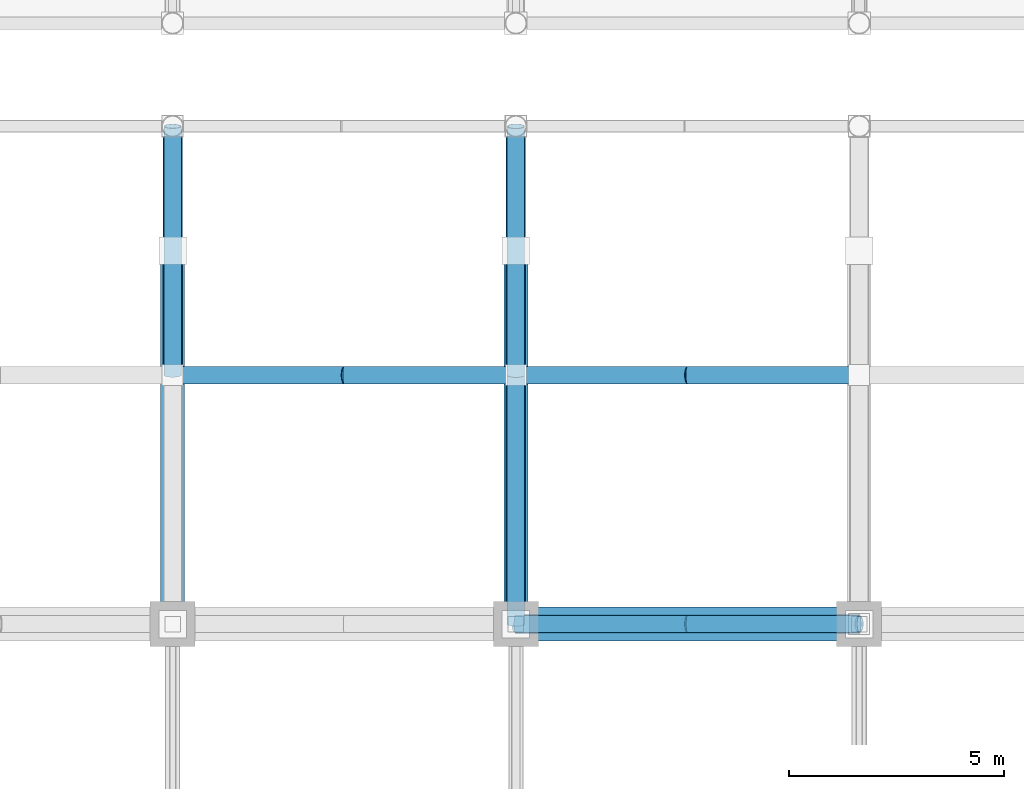
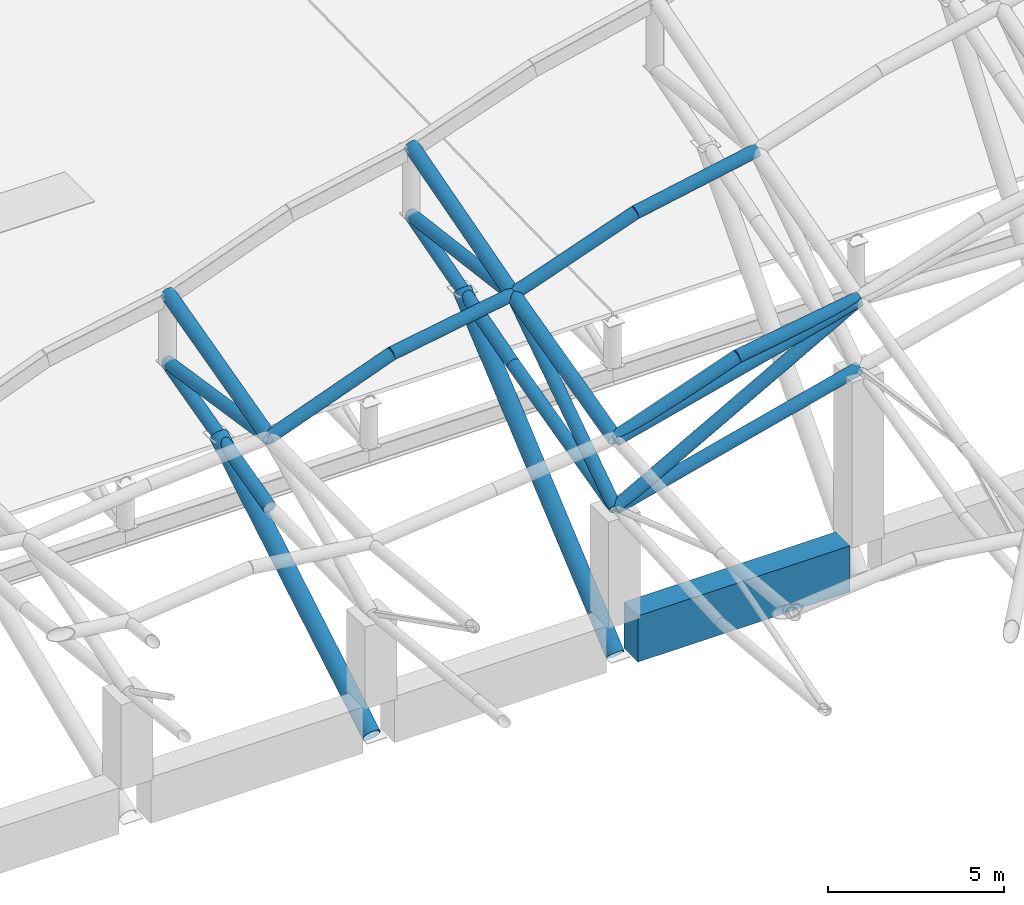
# One storey, part 17 of 75: 20 members, 1 beam.
"""IFC4 building model written with IfcOpenShell, lengths in metres."""

import ifcopenshell
import ifcopenshell.guid

model = None  # the IFC model being written
_history = None  # IfcOwnerHistory: only IFC2X3 demands one
_inside = {}  # id of a spatial element -> (the spatial element, [elements in it])
_under = {}  # id of a project, library or spatial element -> (it, [spatial elements below it])
_declared = {}  # id of a project -> (the project, [libraries it declares])
_typed = {}  # id of a type object -> (the type object, [elements of that type])
_made_of = {}  # id of a material, layer set ... -> (it, [elements and type objects made of it])


def new_model(schema):
    """Start an empty IFC model of exactly this schema.

    Asked for "IFC4X3", IfcOpenShell would pick the latest addendum, in which some entities
    have other attributes; the version numbers below select the first issue.
    IFC2X3 requires an IfcOwnerHistory on every rooted entity: one is made here for all.
    """
    global model, _history
    if schema == "IFC4X3":
        model = ifcopenshell.file(schema_version=(4, 3, 0, 0))
    else:
        model = ifcopenshell.file(schema=schema)
    _inside.clear()
    _under.clear()
    _declared.clear()
    _typed.clear()
    _made_of.clear()
    _history = None
    if model.schema == "IFC2X3":
        org = make("IfcOrganization", Name="unknown")
        user = make(
            "IfcPersonAndOrganization",
            ThePerson=make("IfcPerson", FamilyName="unknown"),
            TheOrganization=org,
        )
        app = make(
            "IfcApplication",
            ApplicationDeveloper=org,
            Version="unknown",
            ApplicationFullName="unknown",
            ApplicationIdentifier="unknown",
        )
        _history = make(
            "IfcOwnerHistory",
            OwningUser=user,
            OwningApplication=app,
            ChangeAction="ADDED",
            CreationDate=0,
        )
    return model


def make(cls, **values):
    """One entity of the class cls with the attributes given. An attribute that is None is left unset."""
    return model.create_entity(
        cls, **{name: value for name, value in values.items() if value is not None}
    )


def rooted(cls, **values):
    """An entity with a GlobalId (a new one), such as an element, a storey or a relation."""
    return make(cls, GlobalId=ifcopenshell.guid.new(), OwnerHistory=_history, **values)


def si_unit(unit_type, name, prefix=None):
    """IfcSIUnit, for example si_unit("LENGTHUNIT", "METRE", prefix="MILLI")."""
    return make("IfcSIUnit", UnitType=unit_type, Prefix=prefix, Name=name)


def assignment(units):
    """IfcUnitAssignment: the units of a project."""
    return None if units is None else make("IfcUnitAssignment", Units=units)


def point(xyz):
    """IfcCartesianPoint."""
    return None if xyz is None else make("IfcCartesianPoint", Coordinates=xyz)


def direction(xyz):
    """IfcDirection."""
    return None if xyz is None else make("IfcDirection", DirectionRatios=xyz)


def frame(location, z_axis=None, x_axis=None):
    """IfcAxis2Placement3D, a coordinate frame: its origin and axes. An axis left out is left unset."""
    return make(
        "IfcAxis2Placement3D",
        Location=point(location),
        Axis=direction(z_axis),
        RefDirection=direction(x_axis),
    )


def frame_2d(location, x_axis=None):
    """IfcAxis2Placement2D, a coordinate frame in the plane: its origin and x axis."""
    return make(
        "IfcAxis2Placement2D", Location=point(location), RefDirection=direction(x_axis)
    )


def origin():
    """The frame at (0, 0, 0) with its axes left unset."""
    return frame((0.0, 0.0, 0.0))


def origin_2d():
    """The frame at (0, 0) in the plane with its x axis left unset."""
    return frame_2d((0.0, 0.0))


def place(relative_to, where):
    """IfcLocalPlacement: puts the frame where relative to a parent placement (None: the world)."""
    return make(
        "IfcLocalPlacement", PlacementRelTo=relative_to, RelativePlacement=where
    )


def context(
    kind, dimensions, precision=None, world=None, true_north=None, identifier=None
):
    """IfcGeometricRepresentationContext, for example the 3D "Model" context."""
    return make(
        "IfcGeometricRepresentationContext",
        ContextIdentifier=identifier,
        ContextType=kind,
        CoordinateSpaceDimension=dimensions,
        Precision=precision,
        WorldCoordinateSystem=world,
        TrueNorth=true_north,
    )


def subcontext(parent, identifier, kind, view, scale=None):
    """IfcGeometricRepresentationSubContext, for example "Body" below "Model"."""
    return make(
        "IfcGeometricRepresentationSubContext",
        ContextIdentifier=identifier,
        ContextType=kind,
        ParentContext=parent,
        TargetScale=scale,
        TargetView=view,
    )


def project(units=None, contexts=None):
    """IfcProject with its units and contexts."""
    return rooted(
        "IfcProject",
        Name="project",
        RepresentationContexts=contexts,
        UnitsInContext=assignment(units),
    )


def spatial(cls, under=None, at=None, **own):
    """A site, building, storey or space (cls), placed at a placement, below another one or the project."""
    s = rooted(cls, ObjectPlacement=at, **own)
    if under is not None:
        _under.setdefault(under.id(), (under, []))[1].append(s)
    return s


def profile(cls, at=None, kind="AREA", **sizes):
    """A parametric profile (cls). Its sizes go by their IFC names, for example OverallWidth=200.0."""
    return make(cls, ProfileType=kind, Position=at, **sizes)


def rectangle(**sizes):
    """IfcRectangleProfileDef."""
    return profile("IfcRectangleProfileDef", **sizes)


def hollow_circle(**sizes):
    """IfcCircleHollowProfileDef."""
    return profile("IfcCircleHollowProfileDef", **sizes)


def extrude(swept, where, along, depth):
    """IfcExtrudedAreaSolid: the profile swept, set in the frame where, extruded along a direction by depth."""
    return make(
        "IfcExtrudedAreaSolid",
        SweptArea=swept,
        Position=where,
        ExtrudedDirection=direction(along),
        Depth=depth,
    )


def shape(context_of_items, identifier, shape_type, items):
    """IfcShapeRepresentation: the items that make up one representation, for example the "Body"."""
    return make(
        "IfcShapeRepresentation",
        ContextOfItems=context_of_items,
        RepresentationIdentifier=identifier,
        RepresentationType=shape_type,
        Items=items,
    )


def material(Name=None, Category=None):
    """IfcMaterial."""
    return make("IfcMaterial", Name=Name, Category=Category)


def material_profile(
    of_material, cross_section, Name=None, Category=None, Priority=None
):
    """IfcMaterialProfile: a cross section and its material."""
    return make(
        "IfcMaterialProfile",
        Name=Name,
        Material=of_material,
        Profile=cross_section,
        Priority=Priority,
        Category=Category,
    )


def profile_set(profiles, Name=None, composite=None):
    """IfcMaterialProfileSet."""
    return make(
        "IfcMaterialProfileSet",
        Name=Name,
        MaterialProfiles=profiles,
        CompositeProfile=composite,
    )


def made_of(thing, what):
    """Note that an element or type object is made of a material, layer set ...; save() writes the relation."""
    if what is not None:
        _made_of.setdefault(what.id(), (what, []))[1].append(thing)
    return thing


def type_object(cls, material=None, **own):
    """A type object (cls), such as IfcWallType, which elements share."""
    return made_of(rooted(cls, **own), material)


def element(
    cls,
    number,
    at=None,
    inside=None,
    cuts=None,
    type_object=None,
    material=None,
    context=None,
    identifier="Body",
    shape_type=None,
    held_by="IfcProductDefinitionShape",
    body=None,
    shapes=None,
    **own,
):
    """One element of the class cls, such as IfcWall. Its Tag is "e" and its number.

    at: its placement. inside: the storey or other place that contains it. cuts: it is an
    opening in that element (IfcRelVoidsElement). A single representation is given by context,
    identifier, shape_type and body (its items); several are given by shapes. held_by: the class
    of the entity that holds the representations. save() writes the other relations.
    """
    e = rooted(cls, Tag="e%d" % number, ObjectPlacement=at, **own)
    if body is not None:
        shapes = [shape(context, identifier, shape_type, body)]
    if shapes is not None:
        e.Representation = make(held_by, Representations=shapes)
    if inside is not None:
        _inside.setdefault(inside.id(), (inside, []))[1].append(e)
    if cuts is not None:
        rooted(
            "IfcRelVoidsElement", RelatingBuildingElement=cuts, RelatedOpeningElement=e
        )
    if type_object is not None:
        _typed.setdefault(type_object.id(), (type_object, []))[1].append(e)
    return made_of(e, material)


def aggregate(whole, parts):
    """IfcRelAggregates: a whole, such as a stair, and the parts it consists of."""
    return rooted("IfcRelAggregates", RelatingObject=whole, RelatedObjects=parts)


def save(model, path):
    """Write the relations noted so far, then the file.

    IfcRelAggregates (storeys below a building ...), IfcRelContainedInSpatialStructure (elements
    in a storey), IfcRelDefinesByType, IfcRelAssociatesMaterial and IfcRelDeclares: one each for
    every whole, place, type object, material and project.
    """
    for whole, parts in _under.values():
        aggregate(whole, parts)
    for where, things in _inside.values():
        rooted(
            "IfcRelContainedInSpatialStructure",
            RelatedElements=things,
            RelatingStructure=where,
        )
    for kind, things in _typed.values():
        rooted("IfcRelDefinesByType", RelatedObjects=things, RelatingType=kind)
    for what, things in _made_of.values():
        rooted("IfcRelAssociatesMaterial", RelatedObjects=things, RelatingMaterial=what)
    for by, libraries in _declared.values():
        rooted("IfcRelDeclares", RelatingContext=by, RelatedDefinitions=libraries)
    model.write(path)


model = new_model("IFC4")

# Units and contexts
model_context = context("Model", 3, precision=1e-05, world=origin(), true_north=direction((0.0, 1.0)))
body_context = subcontext(model_context, "Body", "Model", "MODEL_VIEW")
ifc_project = project(units=[si_unit("LENGTHUNIT", "METRE"), si_unit("AREAUNIT", "SQUARE_METRE"), si_unit("VOLUMEUNIT", "CUBIC_METRE"), si_unit("PLANEANGLEUNIT", "RADIAN"), si_unit("MASSUNIT", "GRAM", prefix="KILO")], contexts=[model_context])

# Site, building, storey
site_placement = place(None, origin())
site = spatial("IfcSite", under=ifc_project, at=site_placement, CompositionType="ELEMENT")
building_placement = place(site_placement, origin())
building = spatial("IfcBuilding", under=site, at=building_placement, Name="Khorjan Park Terminus", CompositionType="ELEMENT")
storey_placement = place(building_placement, frame((0.0, 0.0, 16.2)))
storey = spatial("IfcBuildingStorey", under=building, at=storey_placement, Name="L03", CompositionType="ELEMENT", Elevation=16.2)

# Members
ifc_material_1 = material(Name="Steel S355", Category="steel")
ifc_material_profile_1 = material_profile(ifc_material_1, hollow_circle(Radius=0.2032, WallThickness=0.016, at=origin_2d()), Name="CHS 406.4x16")
ifc_profile_set_1 = profile_set([ifc_material_profile_1], Name="Steel S355")
member_type_1 = type_object("IfcMemberType", Name="MB-CH-406", PredefinedType="CHORD", material=ifc_profile_set_1)
member_1_placement = place(storey_placement, frame((120.0, 88.0, 3.6958), z_axis=(0.968840831893, 0.0, 0.247684158673), x_axis=(0.0, 1.0, 0.0)))
element("IfcMember", 1, at=member_1_placement, inside=storey, type_object=member_type_1, Name="Upper shell longitudinal truss bottom chord (E4)", PredefinedType="CHORD", context=body_context, shape_type="SweptSolid", body=[
    extrude(hollow_circle(Radius=0.2032, WallThickness=0.016, at=origin_2d()), origin(), (0.0, 0.0, 1.0), 8.2573),
])
ifc_material_profile_2 = material_profile(ifc_material_1, hollow_circle(Radius=0.2285, WallThickness=0.016, at=origin_2d()), Name="CHS 457x16")
ifc_profile_set_2 = profile_set([ifc_material_profile_2], Name="Steel S355")
member_type_2 = type_object("IfcMemberType", Name="MB-CH-457", PredefinedType="CHORD", material=ifc_profile_set_2)
member_2_placement = place(storey_placement, frame((120.0, 88.0, 6.0958), z_axis=(0.968840831893, 0.0, 0.247684158673), x_axis=(0.0, 1.0, 0.0)))
element("IfcMember", 2, at=member_2_placement, inside=storey, type_object=member_type_2, Name="Upper shell longitudinal truss top chord (E4)", PredefinedType="CHORD", context=body_context, shape_type="SweptSolid", body=[
    extrude(hollow_circle(Radius=0.2285, WallThickness=0.016, at=origin_2d()), origin(), (0.0, 0.0, 1.0), 8.2573),
])
ifc_material_profile_3 = material_profile(ifc_material_1, hollow_circle(Radius=0.2032, WallThickness=0.016, at=origin_2d()), Name="CHS 406.4x16")
ifc_profile_set_3 = profile_set([ifc_material_profile_3], Name="Steel S355")
member_type_3 = type_object("IfcMemberType", Name="MB-CHE-406", PredefinedType="CHORD", material=ifc_profile_set_3)
member_3_placement = place(storey_placement, frame((120.0, 88.0, 6.1358), z_axis=(0.942639584618, 0.0, 0.333812242903), x_axis=(0.0, 1.0, 0.0)))
element("IfcMember", 3, at=member_3_placement, inside=storey, type_object=member_type_3, Name="Upper shell fold rib chord (237)", PredefinedType="CHORD", context=body_context, shape_type="SweptSolid", body=[
    extrude(hollow_circle(Radius=0.2032, WallThickness=0.016, at=origin_2d()), origin(), (0.0, 0.0, 1.0), 4.2434),
])
member_4_placement = place(storey_placement, frame((124.0, 88.0, 7.5523), z_axis=(0.987872255403, 0.0, 0.155268821743), x_axis=(0.0, 1.0, 0.0)))
element("IfcMember", 4, at=member_4_placement, inside=storey, type_object=member_type_3, Name="Upper shell fold rib chord (238)", PredefinedType="CHORD", context=body_context, shape_type="SweptSolid", body=[
    extrude(hollow_circle(Radius=0.2032, WallThickness=0.016, at=origin_2d()), origin(), (0.0, 0.0, 1.0), 4.0491),
])
member_5_placement = place(storey_placement, frame((112.0, 93.8, 5.4417), z_axis=(0.937112467786, 0.0, 0.349027538627), x_axis=(0.0, 1.0, 0.0)))
element("IfcMember", 5, at=member_5_placement, inside=storey, type_object=member_type_3, Name="Upper shell fold rib chord (259)", PredefinedType="CHORD", context=body_context, shape_type="SweptSolid", body=[
    extrude(hollow_circle(Radius=0.2032, WallThickness=0.016, at=origin_2d()), origin(), (0.0, 0.0, 1.0), 4.2684),
])
member_6_placement = place(storey_placement, frame((116.0, 93.8, 6.9315), z_axis=(0.985790621278, 0.0, 0.167978721866), x_axis=(0.0, 1.0, 0.0)))
element("IfcMember", 6, at=member_6_placement, inside=storey, type_object=member_type_3, Name="Upper shell fold rib chord (260)", PredefinedType="CHORD", context=body_context, shape_type="SweptSolid", body=[
    extrude(hollow_circle(Radius=0.2032, WallThickness=0.016, at=origin_2d()), origin(), (0.0, 0.0, 1.0), 4.0577),
])
member_7_placement = place(storey_placement, frame((120.0, 93.8, 7.6131), z_axis=(0.942795230781, 0.0, 0.333372393604), x_axis=(0.0, 1.0, 0.0)))
element("IfcMember", 7, at=member_7_placement, inside=storey, type_object=member_type_3, Name="Upper shell fold rib chord (261)", PredefinedType="CHORD", context=body_context, shape_type="SweptSolid", body=[
    extrude(hollow_circle(Radius=0.2032, WallThickness=0.016, at=origin_2d()), origin(), (0.0, 0.0, 1.0), 4.2427),
])
member_8_placement = place(storey_placement, frame((124.0, 93.8, 9.0275), z_axis=(0.981807019959, 0.0, 0.18988147766), x_axis=(0.0, 1.0, 0.0)))
element("IfcMember", 8, at=member_8_placement, inside=storey, type_object=member_type_3, Name="Upper shell fold rib chord (262)", PredefinedType="CHORD", context=body_context, shape_type="SweptSolid", body=[
    extrude(hollow_circle(Radius=0.2032, WallThickness=0.016, at=origin_2d()), origin(), (0.0, 0.0, 1.0), 4.0741),
])
member_9_placement = place(storey_placement, frame((112.0, 93.8, 3.0017), z_axis=(0.0, 0.967619044028, 0.252415105796), x_axis=(-1.0, 0.0, 0.0)))
element("IfcMember", 9, at=member_9_placement, inside=storey, type_object=member_type_3, Name="Upper shell fold space-truss bottom chord (9)", PredefinedType="CHORD", context=body_context, shape_type="SweptSolid", body=[
    extrude(hollow_circle(Radius=0.2032, WallThickness=0.016, at=origin_2d()), origin(), (0.0, 0.0, 1.0), 5.9941),
])
member_10_placement = place(storey_placement, frame((120.0, 88.0, 3.6958), z_axis=(0.0, 0.969059763172, 0.246826204851), x_axis=(-1.0, 0.0, 0.0)))
element("IfcMember", 10, at=member_10_placement, inside=storey, type_object=member_type_3, Name="Upper shell fold space-truss bottom chord (10)", PredefinedType="CHORD", context=body_context, shape_type="SweptSolid", body=[
    extrude(hollow_circle(Radius=0.2032, WallThickness=0.016, at=origin_2d()), origin(), (0.0, 0.0, 1.0), 5.9852),
])
member_11_placement = place(storey_placement, frame((120.0, 93.8, 5.1731), z_axis=(0.0, 0.961512686437, 0.274760539052), x_axis=(-1.0, 0.0, 0.0)))
element("IfcMember", 11, at=member_11_placement, inside=storey, type_object=member_type_3, Name="Upper shell fold space-truss bottom chord (10)", PredefinedType="CHORD", context=body_context, shape_type="SweptSolid", body=[
    extrude(hollow_circle(Radius=0.2032, WallThickness=0.016, at=origin_2d()), origin(), (0.0, 0.0, 1.0), 6.0322),
])
ifc_material_profile_4 = material_profile(ifc_material_1, hollow_circle(Radius=0.2285, WallThickness=0.016, at=origin_2d()), Name="CHS 457x16")
ifc_profile_set_4 = profile_set([ifc_material_profile_4], Name="Steel S355")
member_type_4 = type_object("IfcMemberType", Name="MB-CHE-457", PredefinedType="CHORD", material=ifc_profile_set_4)
member_12_placement = place(storey_placement, frame((112.0, 93.8, 5.4017), z_axis=(0.0, 0.967619044028, 0.252415105796), x_axis=(-1.0, 0.0, 0.0)))
element("IfcMember", 12, at=member_12_placement, inside=storey, type_object=member_type_4, Name="Upper shell fold space-truss top chord (9)", PredefinedType="CHORD", context=body_context, shape_type="SweptSolid", body=[
    extrude(hollow_circle(Radius=0.2285, WallThickness=0.016, at=origin_2d()), origin(), (0.0, 0.0, 1.0), 5.9941),
])
member_13_placement = place(storey_placement, frame((120.0, 88.0, 6.0958), z_axis=(0.0, 0.969059763172, 0.246826204851), x_axis=(-1.0, 0.0, 0.0)))
element("IfcMember", 13, at=member_13_placement, inside=storey, type_object=member_type_4, Name="Upper shell fold space-truss top chord (10)", PredefinedType="CHORD", context=body_context, shape_type="SweptSolid", body=[
    extrude(hollow_circle(Radius=0.2285, WallThickness=0.016, at=origin_2d()), origin(), (0.0, 0.0, 1.0), 5.9852),
])
member_14_placement = place(storey_placement, frame((120.0, 93.8, 7.5731), z_axis=(0.0, 0.961512686437, 0.274760539052), x_axis=(-1.0, 0.0, 0.0)))
element("IfcMember", 14, at=member_14_placement, inside=storey, type_object=member_type_4, Name="Upper shell fold space-truss top chord (10)", PredefinedType="CHORD", context=body_context, shape_type="SweptSolid", body=[
    extrude(hollow_circle(Radius=0.2285, WallThickness=0.016, at=origin_2d()), origin(), (0.0, 0.0, 1.0), 6.0322),
])
ifc_material_profile_5 = material_profile(ifc_material_1, hollow_circle(Radius=0.2032, WallThickness=0.016, at=origin_2d()), Name="CHS 406.4x16")
ifc_profile_set_5 = profile_set([ifc_material_profile_5], Name="Steel S355")
member_type_5 = type_object("IfcMemberType", Name="MB-ST-406", PredefinedType="STRUT", material=ifc_profile_set_5)
member_15_placement = place(storey_placement, frame((120.0, 88.0, 3.6958), z_axis=(0.874122226492, 0.0, 0.48570601515), x_axis=(0.0, 1.0, 0.0)))
element("IfcMember", 15, at=member_15_placement, inside=storey, type_object=member_type_5, Name="Upper shell longitudinal truss diagonal (E4)", PredefinedType="STRUT", context=body_context, shape_type="SweptSolid", body=[
    extrude(hollow_circle(Radius=0.2032, WallThickness=0.016, at=origin_2d()), origin(), (0.0, 0.0, 1.0), 9.152),
])
ifc_material_profile_6 = material_profile(ifc_material_1, hollow_circle(Radius=0.2795, WallThickness=0.02, at=origin_2d()), Name="CHS 559x20")
ifc_profile_set_6 = profile_set([ifc_material_profile_6], Name="Steel S355")
member_type_6 = type_object("IfcMemberType", Name="MB-ST-CHS559", PredefinedType="STRUT", material=ifc_profile_set_6)
member_16_placement = place(storey_placement, frame((112.0, 88.0, -1.4), z_axis=(0.0, 0.860176841701, 0.509995883318), x_axis=(-1.0, 0.0, 0.0)))
element("IfcMember", 16, at=member_16_placement, inside=storey, type_object=member_type_6, Name="Upper shell raked overhang V-strut STE-56 (9N)", PredefinedType="STRUT", context=body_context, shape_type="SweptSolid", body=[
    extrude(hollow_circle(Radius=0.2795, WallThickness=0.02, at=origin_2d()), origin(), (0.0, 0.0, 1.0), 10.1142),
])
member_17_placement = place(storey_placement, frame((120.0, 88.0, -1.4), z_axis=(0.0, 0.76164547291, 0.647993961079), x_axis=(-1.0, 0.0, 0.0)))
element("IfcMember", 17, at=member_17_placement, inside=storey, type_object=member_type_6, Name="Upper shell raked overhang V-strut STE-56 (10N)", PredefinedType="STRUT", context=body_context, shape_type="SweptSolid", body=[
    extrude(hollow_circle(Radius=0.2795, WallThickness=0.02, at=origin_2d()), origin(), (0.0, 0.0, 1.0), 11.4226),
])
ifc_material_profile_7 = material_profile(ifc_material_1, hollow_circle(Radius=0.2032, WallThickness=0.016, at=origin_2d()), Name="CHS 406.4x16")
ifc_profile_set_7 = profile_set([ifc_material_profile_7], Name="Steel S355")
member_type_7 = type_object("IfcMemberType", Name="MB-STE-406", PredefinedType="STRUT", material=ifc_profile_set_7)
member_18_placement = place(storey_placement, frame((112.0, 93.8, 5.4017), z_axis=(0.0, 0.988507254371, -0.151173437005), x_axis=(-1.0, 0.0, 0.0)))
element("IfcMember", 18, at=member_18_placement, inside=storey, type_object=member_type_7, Name="Upper shell fold space-truss web diagonal (9)", PredefinedType="STRUT", context=body_context, shape_type="SweptSolid", body=[
    extrude(hollow_circle(Radius=0.2032, WallThickness=0.016, at=origin_2d()), origin(), (0.0, 0.0, 1.0), 5.8674),
])
member_19_placement = place(storey_placement, frame((120.0, 88.0, 3.6958), z_axis=(0.0, 0.831346178511, 0.555754920334), x_axis=(-1.0, 0.0, 0.0)))
element("IfcMember", 19, at=member_19_placement, inside=storey, type_object=member_type_7, Name="Upper shell fold space-truss web diagonal (10)", PredefinedType="STRUT", context=body_context, shape_type="SweptSolid", body=[
    extrude(hollow_circle(Radius=0.2032, WallThickness=0.016, at=origin_2d()), origin(), (0.0, 0.0, 1.0), 6.9766),
])
member_20_placement = place(storey_placement, frame((120.0, 93.8, 7.5731), z_axis=(0.0, 0.991903000272, -0.126997787587), x_axis=(-1.0, 0.0, 0.0)))
element("IfcMember", 20, at=member_20_placement, inside=storey, type_object=member_type_7, Name="Upper shell fold space-truss web diagonal (10)", PredefinedType="STRUT", context=body_context, shape_type="SweptSolid", body=[
    extrude(hollow_circle(Radius=0.2032, WallThickness=0.016, at=origin_2d()), origin(), (0.0, 0.0, 1.0), 5.8473),
])

# Beam
ifc_material_2 = material(Name="Concrete C50/60", Category="concrete")
ifc_material_profile_8 = material_profile(ifc_material_2, rectangle(XDim=0.8, YDim=1.6, at=origin_2d()), Name="RC 800x1600")
ifc_profile_set_8 = profile_set([ifc_material_profile_8], Name="Concrete C50/60")
beam_type = type_object("IfcBeamType", Name="SP-RC800x1600", PredefinedType="SPANDREL", material=ifc_profile_set_8)
beam_placement = place(storey_placement, frame((120.519, 88.0, -0.8), z_axis=(1.0, 0.0, 0.0), x_axis=(0.0, 1.0, 0.0)))
element("IfcBeam", 21, at=beam_placement, inside=storey, type_object=beam_type, Name="Concourse colonnade ring beam SP-16 (20)", PredefinedType="SPANDREL", context=body_context, shape_type="SweptSolid", body=[
    extrude(rectangle(XDim=0.8, YDim=1.6, at=origin_2d()), origin(), (0.0, 0.0, 1.0), 6.962),
])

save(model, "model.ifc")
